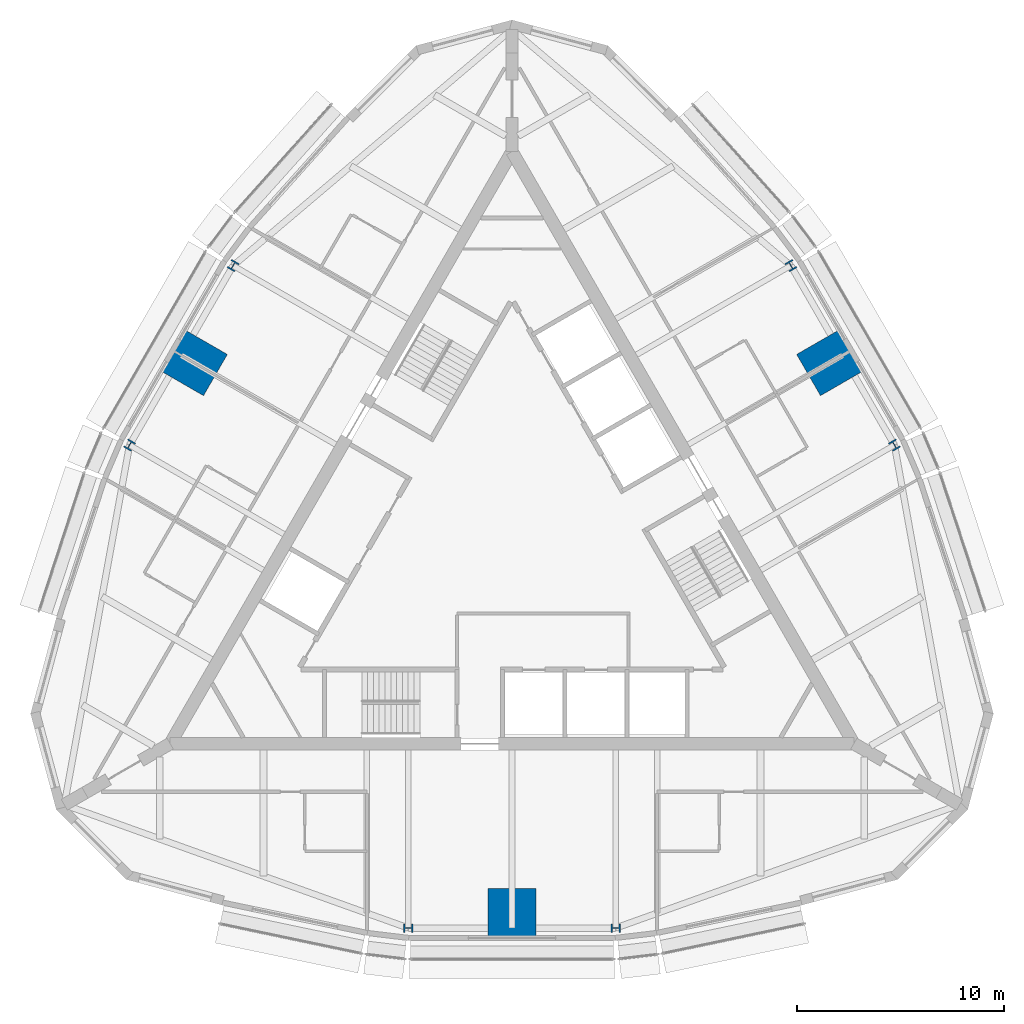
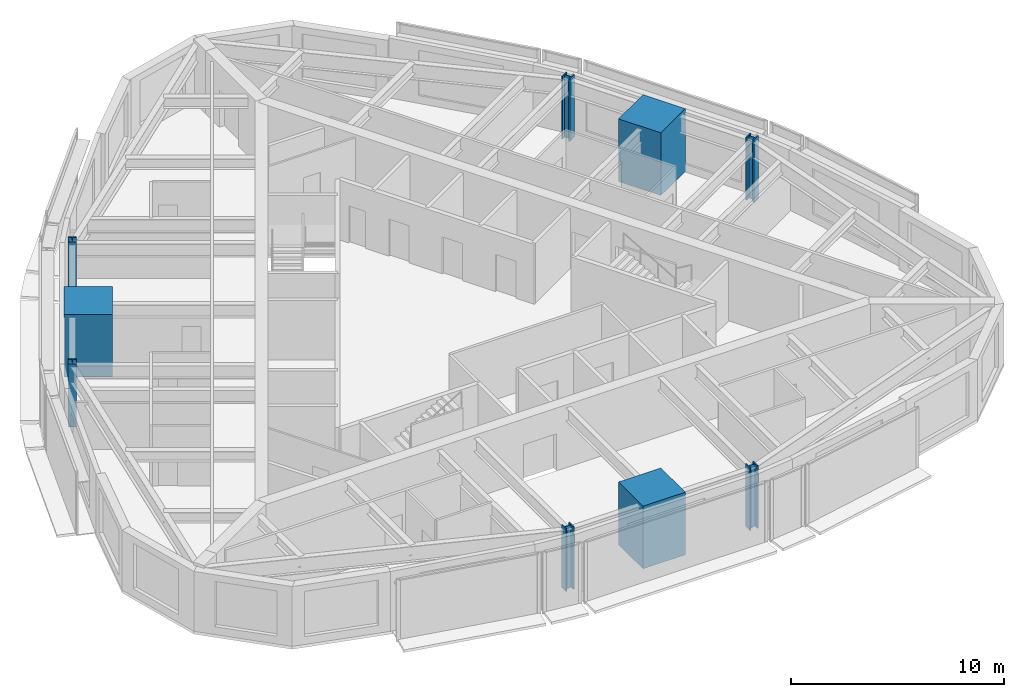
# One storey, part 1 of 12: 9 columns.
"""IFC4 building model written with IfcOpenShell, lengths in metres."""

from ifc_helpers import new_model, si_unit, direction, frame, origin, origin_2d, place, context, subcontext, project, spatial, rectangle, i_section, extrude, material, material_profile, profile_set, type_object, element, save


model = new_model("IFC4")

# Units and contexts
model_context = context("Model", 3, precision=1e-05, world=origin(), true_north=direction((0.0, 1.0)))
body_context = subcontext(model_context, "Body", "Model", "MODEL_VIEW")
ifc_project = project(units=[si_unit("LENGTHUNIT", "METRE"), si_unit("AREAUNIT", "SQUARE_METRE"), si_unit("VOLUMEUNIT", "CUBIC_METRE"), si_unit("PLANEANGLEUNIT", "RADIAN"), si_unit("MASSUNIT", "GRAM", prefix="KILO")], contexts=[model_context])

# Site, building, storey
site_placement = place(None, origin())
site = spatial("IfcSite", under=ifc_project, at=site_placement, CompositionType="ELEMENT")
building_placement = place(site_placement, origin())
building = spatial("IfcBuilding", under=site, at=building_placement, Name="Trikona Tower", CompositionType="ELEMENT")
storey_placement = place(building_placement, frame((0.0, 0.0, 257.300048828125)))
storey = spatial("IfcBuildingStorey", under=building, at=storey_placement, Name="L68", CompositionType="ELEMENT", Elevation=257.300048828125)

# Columns
ifc_material_1 = material(Name="Concrete f'c 10000 psi with encased steel section", Category="concrete")
ifc_material_profile_1 = material_profile(ifc_material_1, rectangle(XDim=2.300048828125, YDim=2.300048828125, at=origin_2d()), Name="MC2300")
ifc_profile_set_1 = profile_set([ifc_material_profile_1], Name="Concrete f'c 10000 psi with encased steel section")
column_type_1 = type_object("IfcColumnType", Name="Composite mega column 2300x2300", PredefinedType="COLUMN", material=ifc_profile_set_1)
for number, where, z_axis, x_axis, name in (
    (1, (0.0, -17.680419921875, 0.0), (0.0, 0.0, 1.0), (0.0, -1.0, 0.0), "Mega column MC1"),
    (2, (15.311767578125, 8.84033203125, 0.0), (0.0, 0.0, 1.0), (0.866025403784, 0.5, 0.0), "Mega column MC2"),
    (3, (-15.311767578125, 8.84033203125, 0.0), (0.0, 0.0, 1.0), (-0.866025403784, 0.5, 0.0), "Mega column MC3"),
):
    element("IfcColumn", number, at=place(storey_placement, frame(where, z_axis=z_axis, x_axis=x_axis)), inside=storey, type_object=column_type_1, Name=name, PredefinedType="COLUMN", context=body_context, shape_type="SweptSolid", body=[
        extrude(rectangle(XDim=2.300048828125, YDim=2.300048828125, at=origin_2d()), origin(), (0.0, 0.0, 1.0), 3.599853515625),
    ])
ifc_material_2 = material(Name="Steel ASTM A992 Grade 50", Category="steel")
ifc_material_profile_2 = material_profile(ifc_material_2, i_section(OverallWidth=0.419189453125, OverallDepth=0.45458984375, WebThickness=0.042236328125, FlangeThickness=0.067626953125, at=origin_2d()), Name="W14X370")
ifc_profile_set_2 = profile_set([ifc_material_profile_2], Name="Steel ASTM A992 Grade 50")
column_type_2 = type_object("IfcColumnType", Name="Steel column W14x370", PredefinedType="COLUMN", material=ifc_profile_set_2)
for number, where, z_axis, x_axis, name in (
    (4, (-5.0, -18.430419921875, 0.0), (0.0, 0.0, 1.0), (0.0, -1.0, 0.0), "Column F0m5"),
    (5, (5.0, -18.430419921875, 0.0), (0.0, 0.0, 1.0), (0.0, -1.0, 0.0), "Column F0p5"),
    (6, (18.461181640625, 4.885009765625, 0.0), (0.0, 0.0, 1.0), (0.866025403784, 0.5, 0.0), "Column F1m5"),
    (7, (13.461181640625, 13.54541015625, 0.0), (0.0, 0.0, 1.0), (0.866025403784, 0.5, 0.0), "Column F1p5"),
    (8, (-13.461181640625, 13.54541015625, 0.0), (0.0, 0.0, 1.0), (-0.866025403784, 0.5, 0.0), "Column F2m5"),
    (9, (-18.461181640625, 4.885009765625, 0.0), (0.0, 0.0, 1.0), (-0.866025403784, 0.5, 0.0), "Column F2p5"),
):
    element("IfcColumn", number, at=place(storey_placement, frame(where, z_axis=z_axis, x_axis=x_axis)), inside=storey, type_object=column_type_2, Name=name, PredefinedType="COLUMN", context=body_context, shape_type="SweptSolid", body=[
        extrude(i_section(OverallWidth=0.419189453125, OverallDepth=0.45458984375, WebThickness=0.042236328125, FlangeThickness=0.067626953125, at=origin_2d()), origin(), (0.0, 0.0, 1.0), 3.599853515625),
    ])

save(model, "model.ifc")
